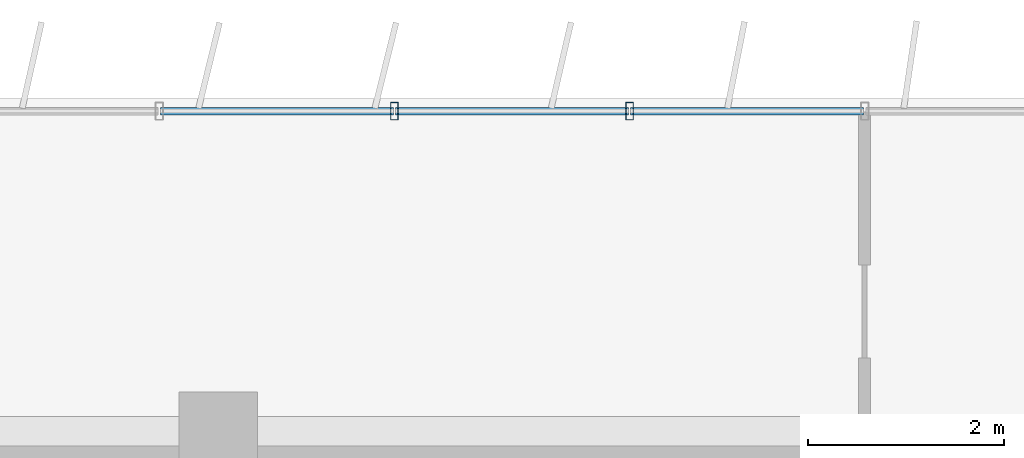
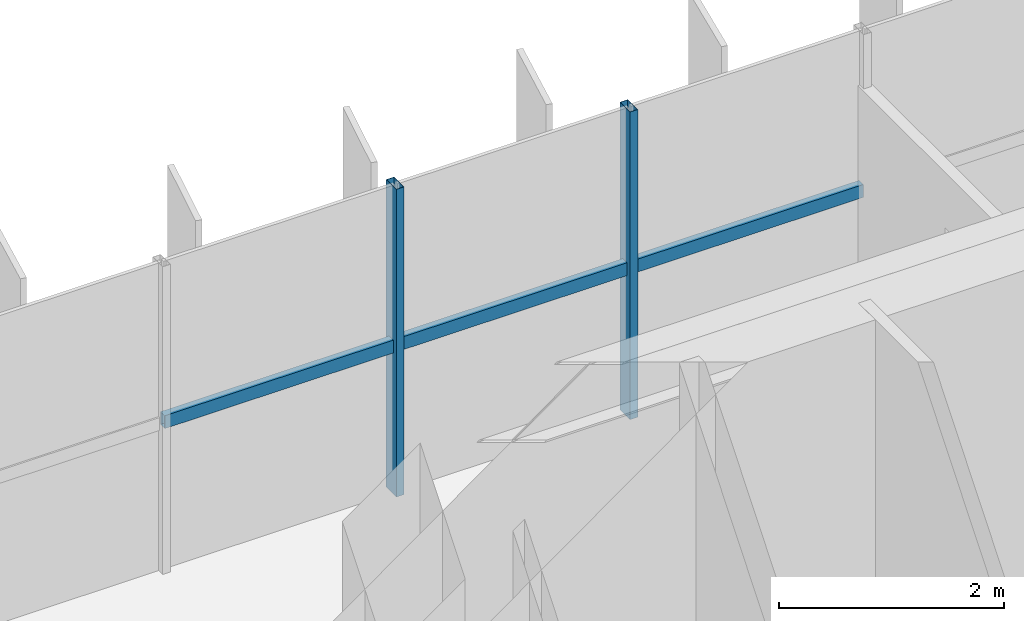
# One storey, part 7 of 22: 5 members, 1 element without a shape of its own.
"""IFC4 building model written with IfcOpenShell, lengths in metres."""

from ifc_helpers import new_model, si_unit, direction, frame, origin, origin_2d, place, context, subcontext, project, spatial, hollow_rectangle, extrude, source, transform, mapped, material, material_profile, profile_set, type_object, element, aggregate, save


model = new_model("IFC4")

# Units and contexts
model_context = context("Model", 3, precision=1e-05, world=origin(), true_north=direction((0.0, 1.0)))
body_context = subcontext(model_context, "Body", "Model", "MODEL_VIEW")
ifc_project = project(units=[si_unit("LENGTHUNIT", "METRE"), si_unit("AREAUNIT", "SQUARE_METRE"), si_unit("VOLUMEUNIT", "CUBIC_METRE"), si_unit("PLANEANGLEUNIT", "RADIAN"), si_unit("MASSUNIT", "GRAM", prefix="KILO")], contexts=[model_context])

# Site, building, storey
site_placement = place(None, origin())
site = spatial("IfcSite", under=ifc_project, at=site_placement, CompositionType="ELEMENT")
building_placement = place(site_placement, origin())
building = spatial("IfcBuilding", under=site, at=building_placement, Name="Trelvane Seafront Commons", CompositionType="ELEMENT")
storey_placement = place(building_placement, frame((0.0, 0.0, 117.699951171875)))
storey = spatial("IfcBuildingStorey", under=building, at=storey_placement, Name="L30", CompositionType="ELEMENT", Elevation=117.699951171875)

# Curtain wall, members
ifc_material = material(Name="Anodised pale-silver aluminium", Category="aluminium")
curtain_wall_type = type_object("IfcCurtainWallType", Name="ARCH-CW4-SKYLOBBY", PredefinedType="NOTDEFINED", material=ifc_material)
curtain_wall_placement = place(storey_placement, origin())
curtain_wall = element("IfcCurtainWall", 1, at=curtain_wall_placement, inside=storey, type_object=curtain_wall_type, Name="CW-L30-0055", PredefinedType="NOTDEFINED")
ifc_material_profile_1 = material_profile(ifc_material, hollow_rectangle(XDim=0.074951171875, YDim=0.139892578125, WallThickness=0.00390625, at=origin_2d()), Name="TRAN-75x140x4")
ifc_profile_set_1 = profile_set([ifc_material_profile_1], Name="Anodised pale-silver aluminium")
member_type_1 = type_object("IfcMemberType", Name="ARCH-CW-TRAN-140", PredefinedType="USERDEFINED", material=ifc_profile_set_1)
shared_shape_1 = source(origin(), body_context, "Body", "SweptSolid", [
    extrude(hollow_rectangle(XDim=0.074951171875, YDim=0.139892578125, WallThickness=0.00390625, at=origin_2d()), origin(), (0.0, 0.0, 1.0), 2.3759765625),
])
member_1_placement = place(storey_placement, frame((30.011962890625, 48.3701171875, 1.60302734375), z_axis=(1.0, 0.0, 0.0), x_axis=(0.0, 1.0, 0.0)))
member_1 = element("IfcMember", 2, at=member_1_placement, type_object=member_type_1, Name="CW-L30-0055-T06", ObjectType="TRANSOM", PredefinedType="USERDEFINED", context=body_context, shape_type="MappedRepresentation", body=[
    mapped(shared_shape_1, transform((0.0, 0.0, 0.0), x_axis=(1.0, 0.0, 0.0), y_axis=(0.0, 1.0, 0.0), z_axis=(0.0, 0.0, 1.0), scale=1.0)),
])
member_2_placement = place(storey_placement, frame((32.412109375, 48.3701171875, 1.60302734375), z_axis=(1.0, 0.0, 0.0), x_axis=(0.0, 1.0, 0.0)))
member_2 = element("IfcMember", 3, at=member_2_placement, type_object=member_type_1, Name="CW-L30-0055-T07", ObjectType="TRANSOM", PredefinedType="USERDEFINED", context=body_context, shape_type="MappedRepresentation", body=[
    mapped(shared_shape_1, transform((0.0, 0.0, 0.0), x_axis=(1.0, 0.0, 0.0), y_axis=(0.0, 1.0, 0.0), z_axis=(0.0, 0.0, 1.0), scale=1.0)),
])
member_3_placement = place(storey_placement, frame((34.81201171875, 48.3701171875, 1.60302734375), z_axis=(1.0, 0.0, 0.0), x_axis=(0.0, 1.0, 0.0)))
member_3 = element("IfcMember", 4, at=member_3_placement, type_object=member_type_1, Name="CW-L30-0055-T08", ObjectType="TRANSOM", PredefinedType="USERDEFINED", context=body_context, shape_type="MappedRepresentation", body=[
    mapped(shared_shape_1, transform((0.0, 0.0, 0.0), x_axis=(1.0, 0.0, 0.0), y_axis=(0.0, 1.0, 0.0), z_axis=(0.0, 0.0, 1.0), scale=1.0)),
])
ifc_material_profile_2 = material_profile(ifc_material, hollow_rectangle(XDim=0.080078125, YDim=0.179931640625, WallThickness=0.00439453125, at=origin_2d()), Name="MULL-80x180x4.5")
ifc_profile_set_2 = profile_set([ifc_material_profile_2], Name="Anodised pale-silver aluminium")
member_type_2 = type_object("IfcMemberType", Name="ARCH-CW-MULL-180", PredefinedType="MULLION", material=ifc_profile_set_2)
shared_shape_2 = source(origin(), body_context, "Body", "SweptSolid", [
    extrude(hollow_rectangle(XDim=0.080078125, YDim=0.179931640625, WallThickness=0.00439453125, at=origin_2d()), origin(), (0.0, 0.0, 1.0), 3.340087890625),
])
member_4_placement = place(storey_placement, frame((32.39990234375, 48.3701171875, 0.0), z_axis=(0.0, 0.0, 1.0), x_axis=(1.0, 0.0, 0.0)))
member_4 = element("IfcMember", 5, at=member_4_placement, type_object=member_type_2, Name="CW-L30-0055-M07", PredefinedType="MULLION", context=body_context, shape_type="MappedRepresentation", body=[
    mapped(shared_shape_2, transform((0.0, 0.0, 0.0), x_axis=(1.0, 0.0, 0.0), y_axis=(0.0, 1.0, 0.0), z_axis=(0.0, 0.0, 1.0), scale=1.0)),
])
member_5_placement = place(storey_placement, frame((34.800048828125, 48.3701171875, 0.0), z_axis=(0.0, 0.0, 1.0), x_axis=(1.0, 0.0, 0.0)))
member_5 = element("IfcMember", 6, at=member_5_placement, type_object=member_type_2, Name="CW-L30-0055-M08", PredefinedType="MULLION", context=body_context, shape_type="MappedRepresentation", body=[
    mapped(shared_shape_2, transform((0.0, 0.0, 0.0), x_axis=(1.0, 0.0, 0.0), y_axis=(0.0, 1.0, 0.0), z_axis=(0.0, 0.0, 1.0), scale=1.0)),
])
aggregate(curtain_wall, [member_4, member_5, member_1, member_2, member_3])

save(model, "model.ifc")
